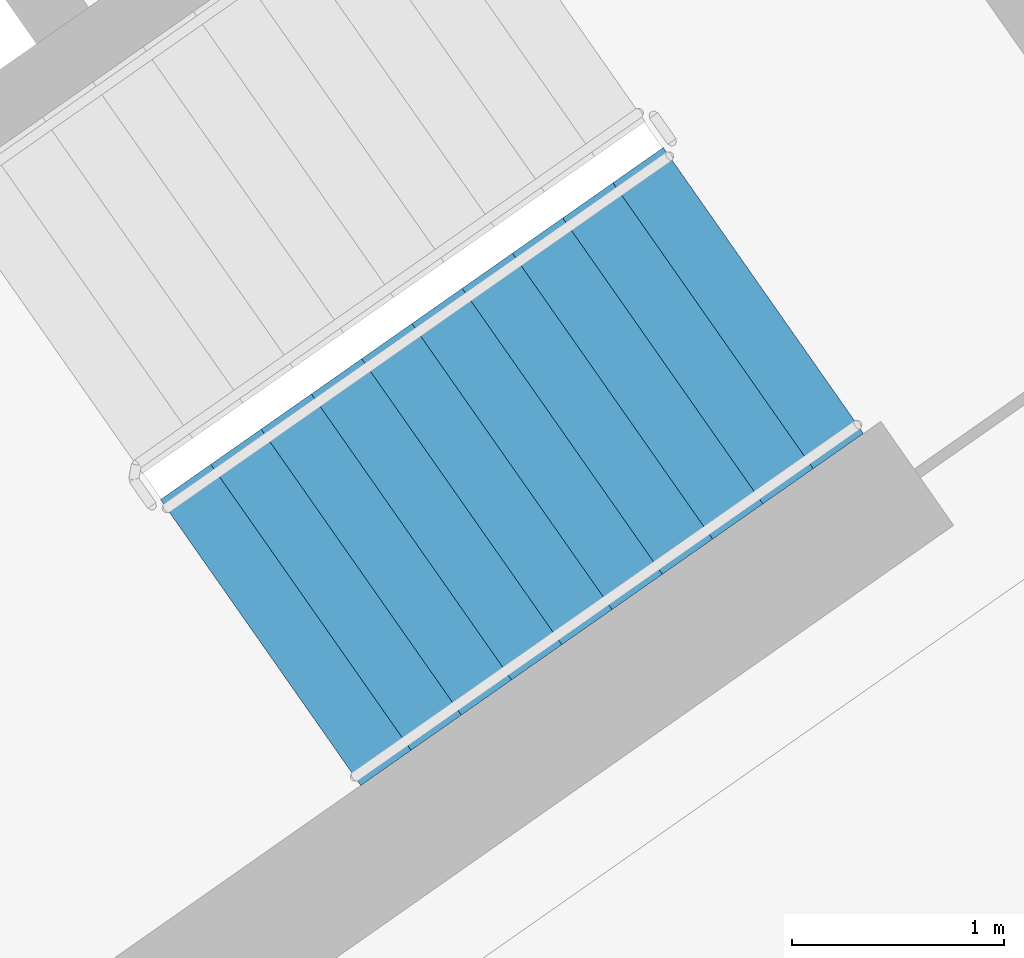
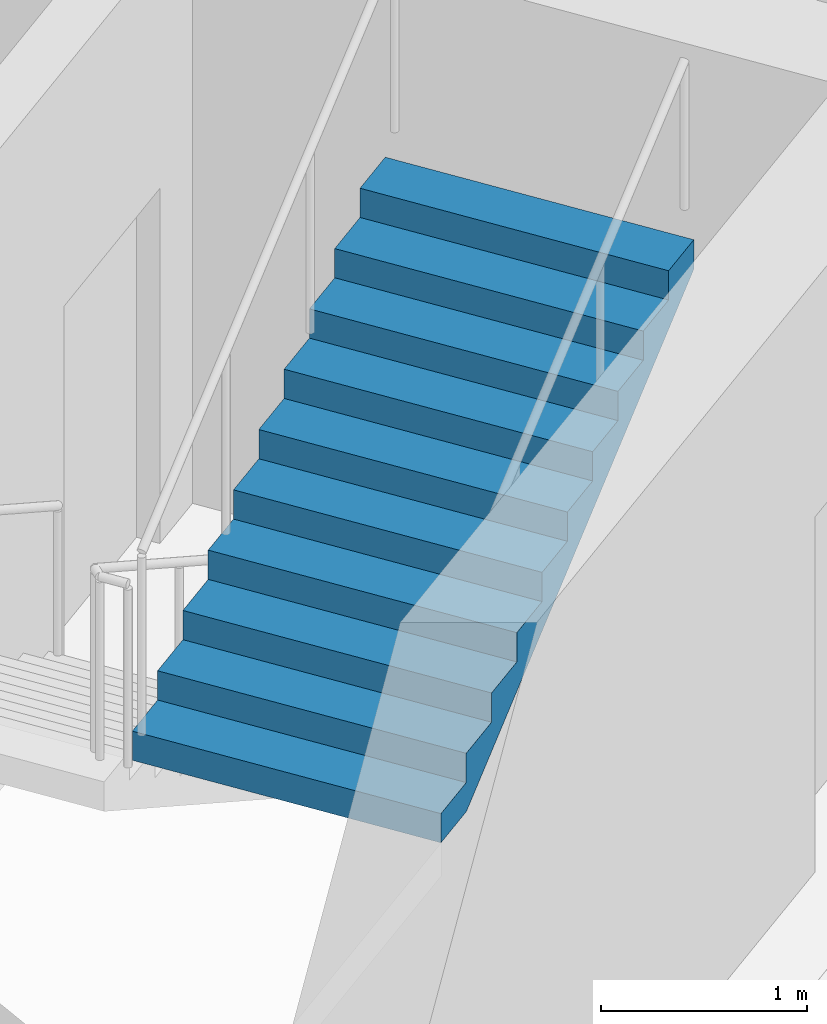
# One storey, part 14 of 28: 1 stair flight, 1 element without a shape of its own.
"""IFC4 building model written with IfcOpenShell, lengths in metres."""

from ifc_helpers import new_model, si_unit, direction, frame, origin, place, context, subcontext, project, spatial, faceted_brep, material, type_object, element, aggregate, save


model = new_model("IFC4")

# Units and contexts
model_context = context("Model", 3, precision=1e-05, world=origin(), true_north=direction((0.0, 1.0)))
body_context = subcontext(model_context, "Body", "Model", "MODEL_VIEW")
ifc_project = project(units=[si_unit("LENGTHUNIT", "METRE"), si_unit("AREAUNIT", "SQUARE_METRE"), si_unit("VOLUMEUNIT", "CUBIC_METRE"), si_unit("PLANEANGLEUNIT", "RADIAN"), si_unit("MASSUNIT", "GRAM", prefix="KILO")], contexts=[model_context])

# Site, building, storey
site_placement = place(None, origin())
site = spatial("IfcSite", under=ifc_project, at=site_placement, CompositionType="ELEMENT")
building_placement = place(site_placement, origin())
building = spatial("IfcBuilding", under=site, at=building_placement, Name="Qamariyya Broadcast Tower", CompositionType="ELEMENT")
storey_placement = place(building_placement, frame((0.0, 0.0, 230.300048828125)))
storey = spatial("IfcBuildingStorey", under=building, at=storey_placement, Name="L55", CompositionType="ELEMENT", Elevation=230.300048828125)

# Stair, stair flight
ifc_material = material(Name="Concrete C50/60", Category="concrete")
stair_type = type_object("IfcStairType", Name="Exit stair 22 risers of 173 mm", PredefinedType="HALF_TURN_STAIR", material=ifc_material)
stair_placement = place(storey_placement, origin())
stair = element("IfcStair", 1, at=stair_placement, inside=storey, type_object=stair_type, Name="L55 Stair E1", PredefinedType="HALF_TURN_STAIR")
stair_flight_type = type_object("IfcStairFlightType", Name="Exit stair flight 11 risers of 173 mm", PredefinedType="STRAIGHT", material=ifc_material)
stair_flight_placement = place(storey_placement, frame((44.693359375, -58.64599609375, 1.89990234375), z_axis=(0.0, 0.0, 1.0), x_axis=(0.819152044289, 0.573576436351, 0.0)))
stair_flight = element("IfcStairFlight", 2, at=stair_flight_placement, type_object=stair_flight_type, Name="ST-E1 flight 2", NumberOfRisers=11, NumberOfTreads=10, PredefinedType="STRAIGHT", RiserHeight=0.172727273, TreadLength=0.29, context=body_context, shape_type="Brep", body=[
    faceted_brep([(0.0, 0.824951171875, 0.0), (0.0, 0.824951171875, 0.172607421875), (0.2900390625, 0.824951171875, 0.172607421875), (0.2900390625, 0.824951171875, 0.345458984375), (0.580078125, 0.824951171875, 0.345458984375), (0.580078125, 0.824951171875, 0.51806640625), (0.8701171875, 0.824951171875, 0.51806640625), (0.8701171875, 0.824951171875, 0.69091796875), (1.159912109375, 0.824951171875, 0.69091796875), (1.159912109375, 0.824951171875, 0.863525390625), (1.449951171875, 0.824951171875, 0.863525390625), (1.449951171875, 0.824951171875, 1.036376953125), (1.739990234375, 0.824951171875, 1.036376953125), (1.739990234375, 0.824951171875, 1.208984375), (2.030029296875, 0.824951171875, 1.208984375), (2.030029296875, 0.824951171875, 1.3818359375), (2.320068359375, 0.824951171875, 1.3818359375), (2.320068359375, 0.824951171875, 1.554443359375), (2.610107421875, 0.824951171875, 1.554443359375), (2.610107421875, 0.824951171875, 1.727294921875), (2.89990234375, 0.824951171875, 1.727294921875), (2.89990234375, 0.824951171875, 1.552734375), (0.29296875, 0.824951171875, 0.0), (0.29296875, -0.824951171875, 0.0), (2.89990234375, -0.824951171875, 1.552734375), (2.89990234375, -0.824951171875, 1.727294921875), (2.610107421875, -0.824951171875, 1.727294921875), (2.610107421875, -0.824951171875, 1.554443359375), (2.320068359375, -0.824951171875, 1.554443359375), (2.320068359375, -0.824951171875, 1.3818359375), (2.030029296875, -0.824951171875, 1.3818359375), (2.030029296875, -0.824951171875, 1.208984375), (1.739990234375, -0.824951171875, 1.208984375), (1.739990234375, -0.824951171875, 1.036376953125), (1.449951171875, -0.824951171875, 1.036376953125), (1.449951171875, -0.824951171875, 0.863525390625), (1.159912109375, -0.824951171875, 0.863525390625), (1.159912109375, -0.824951171875, 0.69091796875), (0.8701171875, -0.824951171875, 0.69091796875), (0.8701171875, -0.824951171875, 0.51806640625), (0.580078125, -0.824951171875, 0.51806640625), (0.580078125, -0.824951171875, 0.345458984375), (0.2900390625, -0.824951171875, 0.345458984375), (0.2900390625, -0.824951171875, 0.172607421875), (0.0, -0.824951171875, 0.172607421875), (0.0, -0.824951171875, 0.0), (0.0, 0.10009765625, 0.0), (0.0, 0.086669921875, 0.0), (0.0, 0.0732421875, 0.0), (0.0, 0.06005859375, 0.0), (0.0, 0.046630859375, 0.0), (0.0, 0.033447265625, 0.0), (0.0, 0.02001953125, 0.0), (0.0, 0.006591796875, 0.0), (0.0, -0.006591796875, 0.0), (0.0, -0.02001953125, 0.0), (0.0, -0.033447265625, 0.0), (0.0, -0.046630859375, 0.0), (0.0, -0.06005859375, 0.0), (0.0, -0.0732421875, 0.0), (0.0, -0.086669921875, 0.0), (0.0, -0.10009765625, 0.0), (0.0, -0.10009765625, 0.172607421875), (0.0, -0.086669921875, 0.172607421875), (0.0, -0.0732421875, 0.172607421875), (0.0, -0.06005859375, 0.172607421875), (0.0, -0.046630859375, 0.172607421875), (0.0, -0.033447265625, 0.172607421875), (0.0, -0.02001953125, 0.172607421875), (0.0, -0.006591796875, 0.172607421875), (0.0, 0.006591796875, 0.172607421875), (0.0, 0.02001953125, 0.172607421875), (0.0, 0.033447265625, 0.172607421875), (0.0, 0.046630859375, 0.172607421875), (0.0, 0.06005859375, 0.172607421875), (0.0, 0.0732421875, 0.172607421875), (0.0, 0.086669921875, 0.172607421875), (0.0, 0.10009765625, 0.172607421875), (0.2900390625, -0.10009765625, 0.172607421875), (0.2900390625, -0.086669921875, 0.172607421875), (0.2900390625, -0.0732421875, 0.172607421875), (0.2900390625, -0.06005859375, 0.172607421875), (0.2900390625, -0.046630859375, 0.172607421875), (0.2900390625, -0.033447265625, 0.172607421875), (0.2900390625, -0.02001953125, 0.172607421875), (0.2900390625, -0.006591796875, 0.172607421875), (0.2900390625, 0.006591796875, 0.172607421875), (0.2900390625, 0.02001953125, 0.172607421875), (0.2900390625, 0.033447265625, 0.172607421875), (0.2900390625, 0.046630859375, 0.172607421875), (0.2900390625, 0.06005859375, 0.172607421875), (0.2900390625, 0.0732421875, 0.172607421875), (0.2900390625, 0.086669921875, 0.172607421875), (0.2900390625, 0.10009765625, 0.172607421875), (0.2900390625, -0.10009765625, 0.345458984375), (0.2900390625, -0.086669921875, 0.345458984375), (0.2900390625, -0.0732421875, 0.345458984375), (0.2900390625, -0.06005859375, 0.345458984375), (0.2900390625, -0.046630859375, 0.345458984375), (0.2900390625, -0.033447265625, 0.345458984375), (0.2900390625, -0.02001953125, 0.345458984375), (0.2900390625, -0.006591796875, 0.345458984375), (0.2900390625, 0.006591796875, 0.345458984375), (0.2900390625, 0.02001953125, 0.345458984375), (0.2900390625, 0.033447265625, 0.345458984375), (0.2900390625, 0.046630859375, 0.345458984375), (0.2900390625, 0.06005859375, 0.345458984375), (0.2900390625, 0.0732421875, 0.345458984375), (0.2900390625, 0.086669921875, 0.345458984375), (0.2900390625, 0.10009765625, 0.345458984375), (0.580078125, -0.10009765625, 0.345458984375), (0.580078125, -0.086669921875, 0.345458984375), (0.580078125, -0.0732421875, 0.345458984375), (0.580078125, -0.06005859375, 0.345458984375), (0.580078125, -0.046630859375, 0.345458984375), (0.580078125, -0.033447265625, 0.345458984375), (0.580078125, -0.02001953125, 0.345458984375), (0.580078125, -0.006591796875, 0.345458984375), (0.580078125, 0.006591796875, 0.345458984375), (0.580078125, 0.02001953125, 0.345458984375), (0.580078125, 0.033447265625, 0.345458984375), (0.580078125, 0.046630859375, 0.345458984375), (0.580078125, 0.06005859375, 0.345458984375), (0.580078125, 0.0732421875, 0.345458984375), (0.580078125, 0.086669921875, 0.345458984375), (0.580078125, 0.10009765625, 0.345458984375), (0.580078125, -0.10009765625, 0.51806640625), (0.580078125, -0.086669921875, 0.51806640625), (0.580078125, -0.0732421875, 0.51806640625), (0.580078125, -0.06005859375, 0.51806640625), (0.580078125, -0.046630859375, 0.51806640625), (0.580078125, -0.033447265625, 0.51806640625), (0.580078125, -0.02001953125, 0.51806640625), (0.580078125, -0.006591796875, 0.51806640625), (0.580078125, 0.006591796875, 0.51806640625), (0.580078125, 0.02001953125, 0.51806640625), (0.580078125, 0.033447265625, 0.51806640625), (0.580078125, 0.046630859375, 0.51806640625), (0.580078125, 0.06005859375, 0.51806640625), (0.580078125, 0.0732421875, 0.51806640625), (0.580078125, 0.086669921875, 0.51806640625), (0.580078125, 0.10009765625, 0.51806640625), (0.8701171875, -0.10009765625, 0.51806640625), (0.8701171875, -0.086669921875, 0.51806640625), (0.8701171875, -0.0732421875, 0.51806640625), (0.8701171875, -0.06005859375, 0.51806640625), (0.8701171875, -0.046630859375, 0.51806640625), (0.8701171875, -0.033447265625, 0.51806640625), (0.8701171875, -0.02001953125, 0.51806640625), (0.8701171875, -0.006591796875, 0.51806640625), (0.8701171875, 0.006591796875, 0.51806640625), (0.8701171875, 0.02001953125, 0.51806640625), (0.8701171875, 0.033447265625, 0.51806640625), (0.8701171875, 0.046630859375, 0.51806640625), (0.8701171875, 0.06005859375, 0.51806640625), (0.8701171875, 0.0732421875, 0.51806640625), (0.8701171875, 0.086669921875, 0.51806640625), (0.8701171875, 0.10009765625, 0.51806640625), (0.8701171875, -0.10009765625, 0.69091796875), (0.8701171875, -0.086669921875, 0.69091796875), (0.8701171875, -0.0732421875, 0.69091796875), (0.8701171875, -0.06005859375, 0.69091796875), (0.8701171875, -0.046630859375, 0.69091796875), (0.8701171875, -0.033447265625, 0.69091796875), (0.8701171875, -0.02001953125, 0.69091796875), (0.8701171875, -0.006591796875, 0.69091796875), (0.8701171875, 0.006591796875, 0.69091796875), (0.8701171875, 0.02001953125, 0.69091796875), (0.8701171875, 0.033447265625, 0.69091796875), (0.8701171875, 0.046630859375, 0.69091796875), (0.8701171875, 0.06005859375, 0.69091796875), (0.8701171875, 0.0732421875, 0.69091796875), (0.8701171875, 0.086669921875, 0.69091796875), (0.8701171875, 0.10009765625, 0.69091796875), (1.159912109375, -0.10009765625, 0.69091796875), (1.159912109375, -0.086669921875, 0.69091796875), (1.159912109375, -0.0732421875, 0.69091796875), (1.159912109375, -0.06005859375, 0.69091796875), (1.159912109375, -0.046630859375, 0.69091796875), (1.159912109375, -0.033447265625, 0.69091796875), (1.159912109375, -0.02001953125, 0.69091796875), (1.159912109375, -0.006591796875, 0.69091796875), (1.159912109375, 0.006591796875, 0.69091796875), (1.159912109375, 0.02001953125, 0.69091796875), (1.159912109375, 0.033447265625, 0.69091796875), (1.159912109375, 0.046630859375, 0.69091796875), (1.159912109375, 0.06005859375, 0.69091796875), (1.159912109375, 0.0732421875, 0.69091796875), (1.159912109375, 0.086669921875, 0.69091796875), (1.159912109375, 0.10009765625, 0.69091796875), (1.159912109375, -0.10009765625, 0.863525390625), (1.159912109375, -0.086669921875, 0.863525390625), (1.159912109375, -0.0732421875, 0.863525390625), (1.159912109375, -0.06005859375, 0.863525390625), (1.159912109375, -0.046630859375, 0.863525390625), (1.159912109375, -0.033447265625, 0.863525390625), (1.159912109375, -0.02001953125, 0.863525390625), (1.159912109375, -0.006591796875, 0.863525390625), (1.159912109375, 0.006591796875, 0.863525390625), (1.159912109375, 0.02001953125, 0.863525390625), (1.159912109375, 0.033447265625, 0.863525390625), (1.159912109375, 0.046630859375, 0.863525390625), (1.159912109375, 0.06005859375, 0.863525390625), (1.159912109375, 0.0732421875, 0.863525390625), (1.159912109375, 0.086669921875, 0.863525390625), (1.159912109375, 0.10009765625, 0.863525390625), (1.449951171875, -0.10009765625, 0.863525390625), (1.449951171875, -0.086669921875, 0.863525390625), (1.449951171875, -0.0732421875, 0.863525390625), (1.449951171875, -0.06005859375, 0.863525390625), (1.449951171875, -0.046630859375, 0.863525390625), (1.449951171875, -0.033447265625, 0.863525390625), (1.449951171875, -0.02001953125, 0.863525390625), (1.449951171875, -0.006591796875, 0.863525390625), (1.449951171875, 0.006591796875, 0.863525390625), (1.449951171875, 0.02001953125, 0.863525390625), (1.449951171875, 0.033447265625, 0.863525390625), (1.449951171875, 0.046630859375, 0.863525390625), (1.449951171875, 0.06005859375, 0.863525390625), (1.449951171875, 0.0732421875, 0.863525390625), (1.449951171875, 0.086669921875, 0.863525390625), (1.449951171875, 0.10009765625, 0.863525390625), (1.449951171875, -0.10009765625, 1.036376953125), (1.449951171875, -0.086669921875, 1.036376953125), (1.449951171875, -0.0732421875, 1.036376953125), (1.449951171875, -0.06005859375, 1.036376953125), (1.449951171875, -0.046630859375, 1.036376953125), (1.449951171875, -0.033447265625, 1.036376953125), (1.449951171875, -0.02001953125, 1.036376953125), (1.449951171875, -0.006591796875, 1.036376953125), (1.449951171875, 0.006591796875, 1.036376953125), (1.449951171875, 0.02001953125, 1.036376953125), (1.449951171875, 0.033447265625, 1.036376953125), (1.449951171875, 0.046630859375, 1.036376953125), (1.449951171875, 0.06005859375, 1.036376953125), (1.449951171875, 0.0732421875, 1.036376953125), (1.449951171875, 0.086669921875, 1.036376953125), (1.449951171875, 0.10009765625, 1.036376953125), (1.739990234375, -0.10009765625, 1.036376953125), (1.739990234375, -0.086669921875, 1.036376953125), (1.739990234375, -0.0732421875, 1.036376953125), (1.739990234375, -0.06005859375, 1.036376953125), (1.739990234375, -0.046630859375, 1.036376953125), (1.739990234375, -0.033447265625, 1.036376953125), (1.739990234375, -0.02001953125, 1.036376953125), (1.739990234375, -0.006591796875, 1.036376953125), (1.739990234375, 0.006591796875, 1.036376953125), (1.739990234375, 0.02001953125, 1.036376953125), (1.739990234375, 0.033447265625, 1.036376953125), (1.739990234375, 0.046630859375, 1.036376953125), (1.739990234375, 0.06005859375, 1.036376953125), (1.739990234375, 0.0732421875, 1.036376953125), (1.739990234375, 0.086669921875, 1.036376953125), (1.739990234375, 0.10009765625, 1.036376953125), (1.739990234375, -0.10009765625, 1.208984375), (1.739990234375, -0.086669921875, 1.208984375), (1.739990234375, -0.0732421875, 1.208984375), (1.739990234375, -0.06005859375, 1.208984375), (1.739990234375, -0.046630859375, 1.208984375), (1.739990234375, -0.033447265625, 1.208984375), (1.739990234375, -0.02001953125, 1.208984375), (1.739990234375, -0.006591796875, 1.208984375), (1.739990234375, 0.006591796875, 1.208984375), (1.739990234375, 0.02001953125, 1.208984375), (1.739990234375, 0.033447265625, 1.208984375), (1.739990234375, 0.046630859375, 1.208984375), (1.739990234375, 0.06005859375, 1.208984375), (1.739990234375, 0.0732421875, 1.208984375), (1.739990234375, 0.086669921875, 1.208984375), (1.739990234375, 0.10009765625, 1.208984375), (2.030029296875, -0.10009765625, 1.208984375), (2.030029296875, -0.086669921875, 1.208984375), (2.030029296875, -0.0732421875, 1.208984375), (2.030029296875, -0.06005859375, 1.208984375), (2.030029296875, -0.046630859375, 1.208984375), (2.030029296875, -0.033447265625, 1.208984375), (2.030029296875, -0.02001953125, 1.208984375), (2.030029296875, -0.006591796875, 1.208984375), (2.030029296875, 0.006591796875, 1.208984375), (2.030029296875, 0.02001953125, 1.208984375), (2.030029296875, 0.033447265625, 1.208984375), (2.030029296875, 0.046630859375, 1.208984375), (2.030029296875, 0.06005859375, 1.208984375), (2.030029296875, 0.0732421875, 1.208984375), (2.030029296875, 0.086669921875, 1.208984375), (2.030029296875, 0.10009765625, 1.208984375), (2.030029296875, -0.10009765625, 1.3818359375), (2.030029296875, -0.086669921875, 1.3818359375), (2.030029296875, -0.0732421875, 1.3818359375), (2.030029296875, -0.06005859375, 1.3818359375), (2.030029296875, -0.046630859375, 1.3818359375), (2.030029296875, -0.033447265625, 1.3818359375), (2.030029296875, -0.02001953125, 1.3818359375), (2.030029296875, -0.006591796875, 1.3818359375), (2.030029296875, 0.006591796875, 1.3818359375), (2.030029296875, 0.02001953125, 1.3818359375), (2.030029296875, 0.033447265625, 1.3818359375), (2.030029296875, 0.046630859375, 1.3818359375), (2.030029296875, 0.06005859375, 1.3818359375), (2.030029296875, 0.0732421875, 1.3818359375), (2.030029296875, 0.086669921875, 1.3818359375), (2.030029296875, 0.10009765625, 1.3818359375), (2.320068359375, -0.10009765625, 1.3818359375), (2.320068359375, -0.086669921875, 1.3818359375), (2.320068359375, -0.0732421875, 1.3818359375), (2.320068359375, -0.06005859375, 1.3818359375), (2.320068359375, -0.046630859375, 1.3818359375), (2.320068359375, -0.033447265625, 1.3818359375), (2.320068359375, -0.02001953125, 1.3818359375), (2.320068359375, -0.006591796875, 1.3818359375), (2.320068359375, 0.006591796875, 1.3818359375), (2.320068359375, 0.02001953125, 1.3818359375), (2.320068359375, 0.033447265625, 1.3818359375), (2.320068359375, 0.046630859375, 1.3818359375), (2.320068359375, 0.06005859375, 1.3818359375), (2.320068359375, 0.0732421875, 1.3818359375), (2.320068359375, 0.086669921875, 1.3818359375), (2.320068359375, 0.10009765625, 1.3818359375), (2.320068359375, -0.10009765625, 1.554443359375), (2.320068359375, -0.086669921875, 1.554443359375), (2.320068359375, -0.0732421875, 1.554443359375), (2.320068359375, -0.06005859375, 1.554443359375), (2.320068359375, -0.046630859375, 1.554443359375), (2.320068359375, -0.033447265625, 1.554443359375), (2.320068359375, -0.02001953125, 1.554443359375), (2.320068359375, -0.006591796875, 1.554443359375), (2.320068359375, 0.006591796875, 1.554443359375), (2.320068359375, 0.02001953125, 1.554443359375), (2.320068359375, 0.033447265625, 1.554443359375), (2.320068359375, 0.046630859375, 1.554443359375), (2.320068359375, 0.06005859375, 1.554443359375), (2.320068359375, 0.0732421875, 1.554443359375), (2.320068359375, 0.086669921875, 1.554443359375), (2.320068359375, 0.10009765625, 1.554443359375), (2.610107421875, -0.10009765625, 1.554443359375), (2.610107421875, -0.086669921875, 1.554443359375), (2.610107421875, -0.0732421875, 1.554443359375), (2.610107421875, -0.06005859375, 1.554443359375), (2.610107421875, -0.046630859375, 1.554443359375), (2.610107421875, -0.033447265625, 1.554443359375), (2.610107421875, -0.02001953125, 1.554443359375), (2.610107421875, -0.006591796875, 1.554443359375), (2.610107421875, 0.006591796875, 1.554443359375), (2.610107421875, 0.02001953125, 1.554443359375), (2.610107421875, 0.033447265625, 1.554443359375), (2.610107421875, 0.046630859375, 1.554443359375), (2.610107421875, 0.06005859375, 1.554443359375), (2.610107421875, 0.0732421875, 1.554443359375), (2.610107421875, 0.086669921875, 1.554443359375), (2.610107421875, 0.10009765625, 1.554443359375), (2.610107421875, -0.10009765625, 1.727294921875), (2.610107421875, -0.086669921875, 1.727294921875), (2.610107421875, -0.0732421875, 1.727294921875), (2.610107421875, -0.06005859375, 1.727294921875), (2.610107421875, -0.046630859375, 1.727294921875), (2.610107421875, -0.033447265625, 1.727294921875), (2.610107421875, -0.02001953125, 1.727294921875), (2.610107421875, -0.006591796875, 1.727294921875), (2.610107421875, 0.006591796875, 1.727294921875), (2.610107421875, 0.02001953125, 1.727294921875), (2.610107421875, 0.033447265625, 1.727294921875), (2.610107421875, 0.046630859375, 1.727294921875), (2.610107421875, 0.06005859375, 1.727294921875), (2.610107421875, 0.0732421875, 1.727294921875), (2.610107421875, 0.086669921875, 1.727294921875), (2.610107421875, 0.10009765625, 1.727294921875), (2.89990234375, -0.10009765625, 1.727294921875), (2.89990234375, -0.086669921875, 1.727294921875), (2.89990234375, -0.0732421875, 1.727294921875), (2.89990234375, -0.06005859375, 1.727294921875), (2.89990234375, -0.046630859375, 1.727294921875), (2.89990234375, -0.033447265625, 1.727294921875), (2.89990234375, -0.02001953125, 1.727294921875), (2.89990234375, -0.006591796875, 1.727294921875), (2.89990234375, 0.006591796875, 1.727294921875), (2.89990234375, 0.02001953125, 1.727294921875), (2.89990234375, 0.033447265625, 1.727294921875), (2.89990234375, 0.046630859375, 1.727294921875), (2.89990234375, 0.06005859375, 1.727294921875), (2.89990234375, 0.0732421875, 1.727294921875), (2.89990234375, 0.086669921875, 1.727294921875), (2.89990234375, 0.10009765625, 1.727294921875), (2.89990234375, -0.10009765625, 1.552734375), (2.89990234375, -0.086669921875, 1.552734375), (2.89990234375, -0.0732421875, 1.552734375), (2.89990234375, -0.06005859375, 1.552734375), (2.89990234375, -0.046630859375, 1.552734375), (2.89990234375, -0.033447265625, 1.552734375), (2.89990234375, -0.02001953125, 1.552734375), (2.89990234375, -0.006591796875, 1.552734375), (2.89990234375, 0.006591796875, 1.552734375), (2.89990234375, 0.02001953125, 1.552734375), (2.89990234375, 0.033447265625, 1.552734375), (2.89990234375, 0.046630859375, 1.552734375), (2.89990234375, 0.06005859375, 1.552734375), (2.89990234375, 0.0732421875, 1.552734375), (2.89990234375, 0.086669921875, 1.552734375), (2.89990234375, 0.10009765625, 1.552734375), (0.29296875, -0.10009765625, 0.0), (0.29296875, -0.086669921875, 0.0), (0.29296875, -0.0732421875, 0.0), (0.29296875, -0.06005859375, 0.0), (0.29296875, -0.046630859375, 0.0), (0.29296875, -0.033447265625, 0.0), (0.29296875, -0.02001953125, 0.0), (0.29296875, -0.006591796875, 0.0), (0.29296875, 0.006591796875, 0.0), (0.29296875, 0.02001953125, 0.0), (0.29296875, 0.033447265625, 0.0), (0.29296875, 0.046630859375, 0.0), (0.29296875, 0.06005859375, 0.0), (0.29296875, 0.0732421875, 0.0), (0.29296875, 0.086669921875, 0.0), (0.29296875, 0.10009765625, 0.0)], [[[0, 1, 2, 3, 4, 5, 6, 7, 8, 9, 10, 11, 12, 13, 14, 15, 16, 17, 18, 19, 20, 21, 22]], [[23, 24, 25, 26, 27, 28, 29, 30, 31, 32, 33, 34, 35, 36, 37, 38, 39, 40, 41, 42, 43, 44, 45]], [[0, 46, 47, 48, 49, 50, 51, 52, 53, 54, 55, 56, 57, 58, 59, 60, 61, 45, 44, 62, 63, 64, 65, 66, 67, 68, 69, 70, 71, 72, 73, 74, 75, 76, 77, 1]], [[1, 77, 76, 75, 74, 73, 72, 71, 70, 69, 68, 67, 66, 65, 64, 63, 62, 44, 43, 78, 79, 80, 81, 82, 83, 84, 85, 86, 87, 88, 89, 90, 91, 92, 93, 2]], [[2, 93, 92, 91, 90, 89, 88, 87, 86, 85, 84, 83, 82, 81, 80, 79, 78, 43, 42, 94, 95, 96, 97, 98, 99, 100, 101, 102, 103, 104, 105, 106, 107, 108, 109, 3]], [[3, 109, 108, 107, 106, 105, 104, 103, 102, 101, 100, 99, 98, 97, 96, 95, 94, 42, 41, 110, 111, 112, 113, 114, 115, 116, 117, 118, 119, 120, 121, 122, 123, 124, 125, 4]], [[4, 125, 124, 123, 122, 121, 120, 119, 118, 117, 116, 115, 114, 113, 112, 111, 110, 41, 40, 126, 127, 128, 129, 130, 131, 132, 133, 134, 135, 136, 137, 138, 139, 140, 141, 5]], [[5, 141, 140, 139, 138, 137, 136, 135, 134, 133, 132, 131, 130, 129, 128, 127, 126, 40, 39, 142, 143, 144, 145, 146, 147, 148, 149, 150, 151, 152, 153, 154, 155, 156, 157, 6]], [[6, 157, 156, 155, 154, 153, 152, 151, 150, 149, 148, 147, 146, 145, 144, 143, 142, 39, 38, 158, 159, 160, 161, 162, 163, 164, 165, 166, 167, 168, 169, 170, 171, 172, 173, 7]], [[7, 173, 172, 171, 170, 169, 168, 167, 166, 165, 164, 163, 162, 161, 160, 159, 158, 38, 37, 174, 175, 176, 177, 178, 179, 180, 181, 182, 183, 184, 185, 186, 187, 188, 189, 8]], [[8, 189, 188, 187, 186, 185, 184, 183, 182, 181, 180, 179, 178, 177, 176, 175, 174, 37, 36, 190, 191, 192, 193, 194, 195, 196, 197, 198, 199, 200, 201, 202, 203, 204, 205, 9]], [[9, 205, 204, 203, 202, 201, 200, 199, 198, 197, 196, 195, 194, 193, 192, 191, 190, 36, 35, 206, 207, 208, 209, 210, 211, 212, 213, 214, 215, 216, 217, 218, 219, 220, 221, 10]], [[10, 221, 220, 219, 218, 217, 216, 215, 214, 213, 212, 211, 210, 209, 208, 207, 206, 35, 34, 222, 223, 224, 225, 226, 227, 228, 229, 230, 231, 232, 233, 234, 235, 236, 237, 11]], [[11, 237, 236, 235, 234, 233, 232, 231, 230, 229, 228, 227, 226, 225, 224, 223, 222, 34, 33, 238, 239, 240, 241, 242, 243, 244, 245, 246, 247, 248, 249, 250, 251, 252, 253, 12]], [[12, 253, 252, 251, 250, 249, 248, 247, 246, 245, 244, 243, 242, 241, 240, 239, 238, 33, 32, 254, 255, 256, 257, 258, 259, 260, 261, 262, 263, 264, 265, 266, 267, 268, 269, 13]], [[13, 269, 268, 267, 266, 265, 264, 263, 262, 261, 260, 259, 258, 257, 256, 255, 254, 32, 31, 270, 271, 272, 273, 274, 275, 276, 277, 278, 279, 280, 281, 282, 283, 284, 285, 14]], [[14, 285, 284, 283, 282, 281, 280, 279, 278, 277, 276, 275, 274, 273, 272, 271, 270, 31, 30, 286, 287, 288, 289, 290, 291, 292, 293, 294, 295, 296, 297, 298, 299, 300, 301, 15]], [[15, 301, 300, 299, 298, 297, 296, 295, 294, 293, 292, 291, 290, 289, 288, 287, 286, 30, 29, 302, 303, 304, 305, 306, 307, 308, 309, 310, 311, 312, 313, 314, 315, 316, 317, 16]], [[16, 317, 316, 315, 314, 313, 312, 311, 310, 309, 308, 307, 306, 305, 304, 303, 302, 29, 28, 318, 319, 320, 321, 322, 323, 324, 325, 326, 327, 328, 329, 330, 331, 332, 333, 17]], [[17, 333, 332, 331, 330, 329, 328, 327, 326, 325, 324, 323, 322, 321, 320, 319, 318, 28, 27, 334, 335, 336, 337, 338, 339, 340, 341, 342, 343, 344, 345, 346, 347, 348, 349, 18]], [[18, 349, 348, 347, 346, 345, 344, 343, 342, 341, 340, 339, 338, 337, 336, 335, 334, 27, 26, 350, 351, 352, 353, 354, 355, 356, 357, 358, 359, 360, 361, 362, 363, 364, 365, 19]], [[19, 365, 364, 363, 362, 361, 360, 359, 358, 357, 356, 355, 354, 353, 352, 351, 350, 26, 25, 366, 367, 368, 369, 370, 371, 372, 373, 374, 375, 376, 377, 378, 379, 380, 381, 20]], [[20, 381, 380, 379, 378, 377, 376, 375, 374, 373, 372, 371, 370, 369, 368, 367, 366, 25, 24, 382, 383, 384, 385, 386, 387, 388, 389, 390, 391, 392, 393, 394, 395, 396, 397, 21]], [[21, 397, 396, 395, 394, 393, 392, 391, 390, 389, 388, 387, 386, 385, 384, 383, 382, 24, 23, 398, 399, 400, 401, 402, 403, 404, 405, 406, 407, 408, 409, 410, 411, 412, 413, 22]], [[22, 413, 412, 411, 410, 409, 408, 407, 406, 405, 404, 403, 402, 401, 400, 399, 398, 23, 45, 61, 60, 59, 58, 57, 56, 55, 54, 53, 52, 51, 50, 49, 48, 47, 46, 0]]]),
])
aggregate(stair, [stair_flight])

save(model, "model.ifc")
